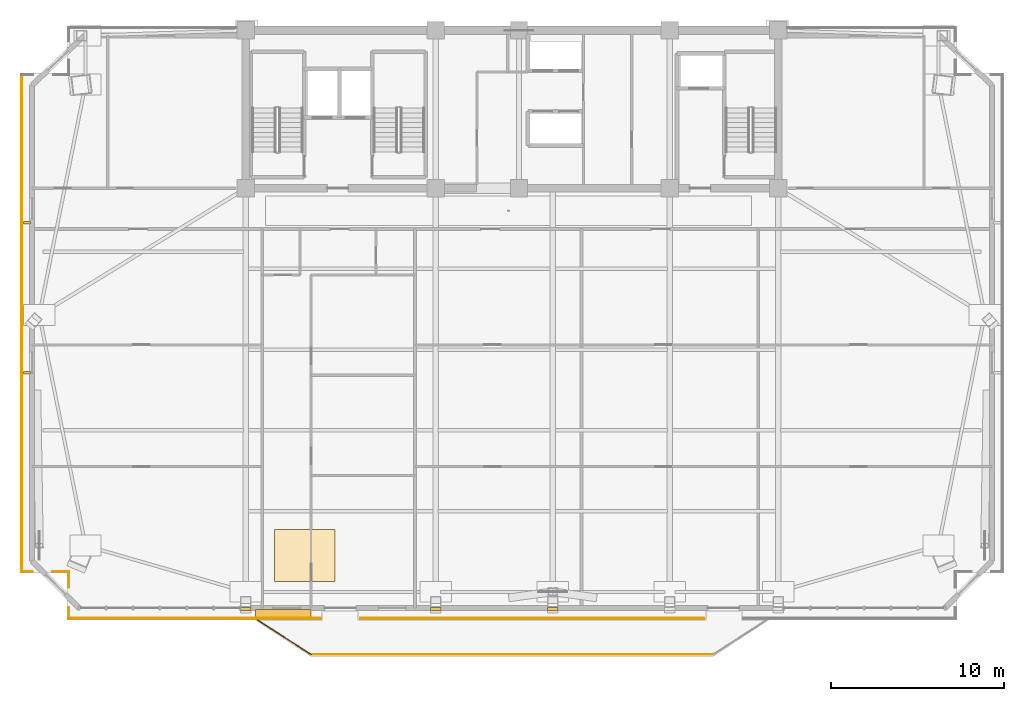
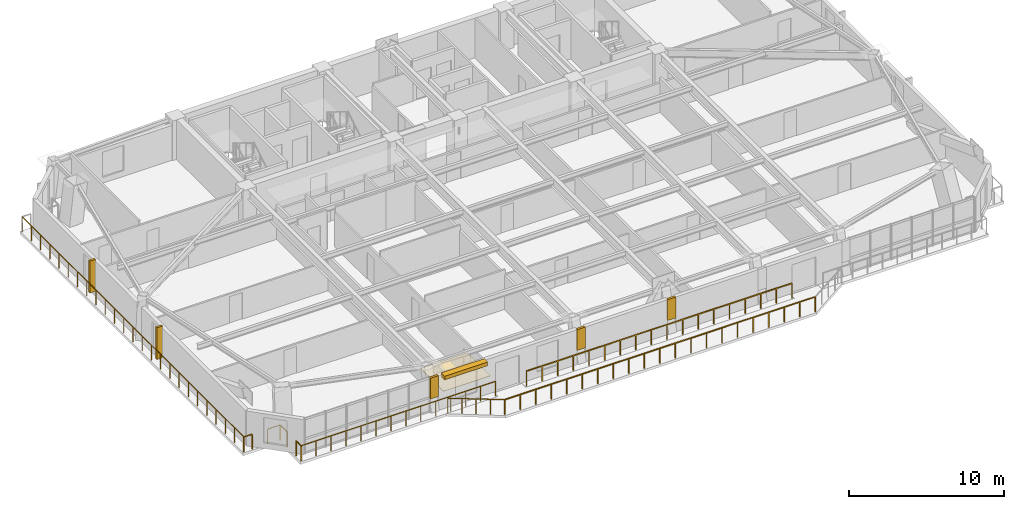
# One storey, part 13 of 16: 9 railings, 4 coverings, 3 shading devices.
"""IFC4 building model written with IfcOpenShell, lengths in metres."""

from ifc_helpers import new_model, si_unit, direction, frame, origin, origin_2d, place, context, subcontext, project, spatial, polyline, rectangle, outline, extrude, source, transform, mapped, material, layer, layer_set, type_object, element, save


model = new_model("IFC4")

# Units and contexts
model_context = context("Model", 3, precision=1e-05, world=origin(), true_north=direction((0.0, 1.0)))
body_context = subcontext(model_context, "Body", "Model", "MODEL_VIEW")
ifc_project = project(units=[si_unit("LENGTHUNIT", "METRE"), si_unit("AREAUNIT", "SQUARE_METRE"), si_unit("VOLUMEUNIT", "CUBIC_METRE"), si_unit("PLANEANGLEUNIT", "RADIAN"), si_unit("MASSUNIT", "GRAM", prefix="KILO")], contexts=[model_context])

# Site, building, storey
site_placement = place(None, origin())
site = spatial("IfcSite", under=ifc_project, at=site_placement, CompositionType="ELEMENT")
building_placement = place(site_placement, origin())
building = spatial("IfcBuilding", under=site, at=building_placement, Name="Giltprow Tower", CompositionType="ELEMENT")
storey_placement = place(building_placement, frame((0.0, 0.0, 233.800048828125)))
storey = spatial("IfcBuildingStorey", under=building, at=storey_placement, Name="L59", CompositionType="ELEMENT", Elevation=233.800048828125)

# Coverings
ifc_material_1 = material(Name="Engineered oak", Category="wood")
ifc_layer_1 = layer(ifc_material_1, 0.02490234375, Name="Engineered oak")
ifc_layer_set_1 = layer_set([ifc_layer_1], Name="Engineered oak")
covering_type_1 = type_object("IfcCoveringType", Name="COV-FLR-TIMBER", PredefinedType="FLOORING", material=ifc_layer_set_1)
covering_1_placement = place(storey_placement, origin())
element("IfcCovering", 1, at=covering_1_placement, inside=storey, type_object=covering_type_1, Name="L59 Residence Oak Parquet Flooring", PredefinedType="FLOORING", context=body_context, shape_type="SweptSolid", body=[
    extrude(outline(polyline([(21.5, 14.781982421875), (25.0, 14.781982421875), (25.0, 17.781982421875), (21.5, 17.781982421875), (21.5, 14.781982421875)])), origin(), (0.0, 0.0, 1.0), 0.02490234375),
])
ifc_material_2 = material(Name="Anodized bronze", Category="metal")
ifc_layer_2 = layer(ifc_material_2, 0.0400390625, Name="Anodized bronze")
ifc_layer_set_2 = layer_set([ifc_layer_2], Name="Anodized bronze")
covering_type_2 = type_object("IfcCoveringType", Name="COV-SOFFIT-BRONZE", PredefinedType="CLADDING", material=ifc_layer_set_2)
covering_2_placement = place(storey_placement, frame((0.0, 0.0, 1.099853515625)))
element("IfcCovering", 2, at=covering_2_placement, inside=storey, type_object=covering_type_2, Name="L59 Setback Pier Closure Cladding S-1", PredefinedType="CLADDING", context=body_context, shape_type="SweptSolid", body=[
    extrude(outline(polyline([(19.550048828125, 13.110107421875), (20.14990234375, 13.110107421875), (20.14990234375, 13.27001953125), (19.550048828125, 13.27001953125), (19.550048828125, 13.110107421875)])), origin(), (0.0, 0.0, 1.0), 1.650146484375),
])
covering_3_placement = place(storey_placement, frame((0.0, 0.0, 1.099853515625)))
element("IfcCovering", 3, at=covering_3_placement, inside=storey, type_object=covering_type_2, Name="L59 Setback Pier Closure Cladding S-2", PredefinedType="CLADDING", context=body_context, shape_type="SweptSolid", body=[
    extrude(outline(polyline([(30.5, 13.110107421875), (31.10009765625, 13.110107421875), (31.10009765625, 13.27001953125), (30.5, 13.27001953125), (30.5, 13.110107421875)])), origin(), (0.0, 0.0, 1.0), 1.650146484375),
])
covering_4_placement = place(storey_placement, frame((0.0, 0.0, 1.099853515625)))
element("IfcCovering", 4, at=covering_4_placement, inside=storey, type_object=covering_type_2, Name="L59 Setback Pier Closure Cladding S-3", PredefinedType="CLADDING", context=body_context, shape_type="SweptSolid", body=[
    extrude(outline(polyline([(37.25, 13.110107421875), (37.85009765625, 13.110107421875), (37.85009765625, 13.27001953125), (37.25, 13.27001953125), (37.25, 13.110107421875)])), origin(), (0.0, 0.0, 1.0), 1.650146484375),
])

# Railings
railing_type = type_object("IfcRailingType", Name="RAIL-BALC-GUARD-1200", PredefinedType="BALUSTRADE", material=ifc_material_2)
railing_1_placement = place(storey_placement, frame((20.52001953125, 12.550048828125, 0.0)))
element("IfcRailing", 5, at=railing_1_placement, inside=storey, type_object=railing_type, Name="L59 Waterfront Balcony Balustrade Seg 1", PredefinedType="BALUSTRADE", context=body_context, shape_type="SweptSolid", body=[
    extrude(rectangle(XDim=0.048095703125, YDim=0.048095703125, at=origin_2d()), frame((0.0, 0.0, 1.17578125), z_axis=(0.84277487735, -0.538266203757, 0.0), x_axis=(0.538266203757, 0.84277487735, 0.0)), (0.0, 0.0, 1.0), 3.678466796875),
    extrude(rectangle(XDim=0.0419921875, YDim=0.0419921875, at=origin_2d()), origin(), (0.0, 0.0, 1.0), 1.15185546875),
    extrude(rectangle(XDim=0.0419921875, YDim=0.0419921875, at=origin_2d()), frame((0.77490234375, -0.4951171875, 0.0)), (0.0, 0.0, 1.0), 1.15185546875),
    extrude(rectangle(XDim=0.0419921875, YDim=0.0419921875, at=origin_2d()), frame((1.550048828125, -0.989990234375, 0.0)), (0.0, 0.0, 1.0), 1.15185546875),
    extrude(rectangle(XDim=0.0419921875, YDim=0.0419921875, at=origin_2d()), frame((2.3251953125, -1.48486328125, 0.0)), (0.0, 0.0, 1.0), 1.15185546875),
    extrude(rectangle(XDim=0.0419921875, YDim=0.0419921875, at=origin_2d()), frame((3.10009765625, -1.97998046875, 0.0)), (0.0, 0.0, 1.0), 1.15185546875),
])
railing_2_placement = place(storey_placement, frame((23.6201171875, 10.570068359375, 0.0)))
element("IfcRailing", 6, at=railing_2_placement, inside=storey, type_object=railing_type, Name="L59 Waterfront Balcony Balustrade Seg 2", PredefinedType="BALUSTRADE", context=body_context, shape_type="SweptSolid", body=[
    extrude(rectangle(XDim=0.048095703125, YDim=0.048095703125, at=origin_2d()), frame((0.0, 0.0, 1.17578125), z_axis=(1.0, 0.0, 0.0), x_axis=(0.0, 1.0, 0.0)), (0.0, 0.0, 1.0), 23.159912109375),
    extrude(rectangle(XDim=0.0419921875, YDim=0.0419921875, at=origin_2d()), origin(), (0.0, 0.0, 1.0), 1.15185546875),
    extrude(rectangle(XDim=0.0419921875, YDim=0.0419921875, at=origin_2d()), frame((1.157958984375, 0.0, 0.0)), (0.0, 0.0, 1.0), 1.15185546875),
    extrude(rectangle(XDim=0.0419921875, YDim=0.0419921875, at=origin_2d()), frame((2.31591796875, 0.0, 0.0)), (0.0, 0.0, 1.0), 1.15185546875),
    extrude(rectangle(XDim=0.0419921875, YDim=0.0419921875, at=origin_2d()), frame((3.473876953125, 0.0, 0.0)), (0.0, 0.0, 1.0), 1.15185546875),
    extrude(rectangle(XDim=0.0419921875, YDim=0.0419921875, at=origin_2d()), frame((4.632080078125, 0.0, 0.0)), (0.0, 0.0, 1.0), 1.15185546875),
    extrude(rectangle(XDim=0.0419921875, YDim=0.0419921875, at=origin_2d()), frame((5.7900390625, 0.0, 0.0)), (0.0, 0.0, 1.0), 1.15185546875),
    extrude(rectangle(XDim=0.0419921875, YDim=0.0419921875, at=origin_2d()), frame((6.947998046875, 0.0, 0.0)), (0.0, 0.0, 1.0), 1.15185546875),
    extrude(rectangle(XDim=0.0419921875, YDim=0.0419921875, at=origin_2d()), frame((8.10595703125, 0.0, 0.0)), (0.0, 0.0, 1.0), 1.15185546875),
    extrude(rectangle(XDim=0.0419921875, YDim=0.0419921875, at=origin_2d()), frame((9.263916015625, 0.0, 0.0)), (0.0, 0.0, 1.0), 1.15185546875),
    extrude(rectangle(XDim=0.0419921875, YDim=0.0419921875, at=origin_2d()), frame((10.421875, 0.0, 0.0)), (0.0, 0.0, 1.0), 1.15185546875),
    extrude(rectangle(XDim=0.0419921875, YDim=0.0419921875, at=origin_2d()), frame((11.580078125, 0.0, 0.0)), (0.0, 0.0, 1.0), 1.15185546875),
    extrude(rectangle(XDim=0.0419921875, YDim=0.0419921875, at=origin_2d()), frame((12.738037109375, 0.0, 0.0)), (0.0, 0.0, 1.0), 1.15185546875),
    extrude(rectangle(XDim=0.0419921875, YDim=0.0419921875, at=origin_2d()), frame((13.89599609375, 0.0, 0.0)), (0.0, 0.0, 1.0), 1.15185546875),
    extrude(rectangle(XDim=0.0419921875, YDim=0.0419921875, at=origin_2d()), frame((15.053955078125, 0.0, 0.0)), (0.0, 0.0, 1.0), 1.15185546875),
    extrude(rectangle(XDim=0.0419921875, YDim=0.0419921875, at=origin_2d()), frame((16.2119140625, 0.0, 0.0)), (0.0, 0.0, 1.0), 1.15185546875),
    extrude(rectangle(XDim=0.0419921875, YDim=0.0419921875, at=origin_2d()), frame((17.369873046875, 0.0, 0.0)), (0.0, 0.0, 1.0), 1.15185546875),
    extrude(rectangle(XDim=0.0419921875, YDim=0.0419921875, at=origin_2d()), frame((18.52783203125, 0.0, 0.0)), (0.0, 0.0, 1.0), 1.15185546875),
    extrude(rectangle(XDim=0.0419921875, YDim=0.0419921875, at=origin_2d()), frame((19.68603515625, 0.0, 0.0)), (0.0, 0.0, 1.0), 1.15185546875),
    extrude(rectangle(XDim=0.0419921875, YDim=0.0419921875, at=origin_2d()), frame((20.843994140625, 0.0, 0.0)), (0.0, 0.0, 1.0), 1.15185546875),
    extrude(rectangle(XDim=0.0419921875, YDim=0.0419921875, at=origin_2d()), frame((22.001953125, 0.0, 0.0)), (0.0, 0.0, 1.0), 1.15185546875),
    extrude(rectangle(XDim=0.0419921875, YDim=0.0419921875, at=origin_2d()), frame((23.159912109375, 0.0, 0.0)), (0.0, 0.0, 1.0), 1.15185546875),
])
railing_3_placement = place(storey_placement, frame((46.25, 12.64990234375, 0.0)))
element("IfcRailing", 7, at=railing_3_placement, inside=storey, type_object=railing_type, Name="L59 Corner Apron Edge Balustrade 7", PredefinedType="BALUSTRADE", context=body_context, shape_type="SweptSolid", body=[
    extrude(rectangle(XDim=0.048095703125, YDim=0.048095703125, at=origin_2d()), frame((0.0, 0.0, 1.17578125), z_axis=(-1.0, 0.0, 0.0), x_axis=(0.0, -1.0, 0.0)), (0.0, 0.0, 1.0), 19.800048828125),
    extrude(rectangle(XDim=0.0419921875, YDim=0.0419921875, at=origin_2d()), origin(), (0.0, 0.0, 1.0), 1.15185546875),
    extrude(rectangle(XDim=0.0419921875, YDim=0.0419921875, at=origin_2d()), frame((-1.164794921875, 0.0, 0.0)), (0.0, 0.0, 1.0), 1.15185546875),
    extrude(rectangle(XDim=0.0419921875, YDim=0.0419921875, at=origin_2d()), frame((-2.329345703125, 0.0, 0.0)), (0.0, 0.0, 1.0), 1.15185546875),
    extrude(rectangle(XDim=0.0419921875, YDim=0.0419921875, at=origin_2d()), frame((-3.494140625, 0.0, 0.0)), (0.0, 0.0, 1.0), 1.15185546875),
    extrude(rectangle(XDim=0.0419921875, YDim=0.0419921875, at=origin_2d()), frame((-4.658935546875, 0.0, 0.0)), (0.0, 0.0, 1.0), 1.15185546875),
    extrude(rectangle(XDim=0.0419921875, YDim=0.0419921875, at=origin_2d()), frame((-5.823486328125, 0.0, 0.0)), (0.0, 0.0, 1.0), 1.15185546875),
    extrude(rectangle(XDim=0.0419921875, YDim=0.0419921875, at=origin_2d()), frame((-6.98828125, 0.0, 0.0)), (0.0, 0.0, 1.0), 1.15185546875),
    extrude(rectangle(XDim=0.0419921875, YDim=0.0419921875, at=origin_2d()), frame((-8.153076171875, 0.0, 0.0)), (0.0, 0.0, 1.0), 1.15185546875),
    extrude(rectangle(XDim=0.0419921875, YDim=0.0419921875, at=origin_2d()), frame((-9.317626953125, 0.0, 0.0)), (0.0, 0.0, 1.0), 1.15185546875),
    extrude(rectangle(XDim=0.0419921875, YDim=0.0419921875, at=origin_2d()), frame((-10.482421875, 0.0, 0.0)), (0.0, 0.0, 1.0), 1.15185546875),
    extrude(rectangle(XDim=0.0419921875, YDim=0.0419921875, at=origin_2d()), frame((-11.64697265625, 0.0, 0.0)), (0.0, 0.0, 1.0), 1.15185546875),
    extrude(rectangle(XDim=0.0419921875, YDim=0.0419921875, at=origin_2d()), frame((-12.811767578125, 0.0, 0.0)), (0.0, 0.0, 1.0), 1.15185546875),
    extrude(rectangle(XDim=0.0419921875, YDim=0.0419921875, at=origin_2d()), frame((-13.9765625, 0.0, 0.0)), (0.0, 0.0, 1.0), 1.15185546875),
    extrude(rectangle(XDim=0.0419921875, YDim=0.0419921875, at=origin_2d()), frame((-15.14111328125, 0.0, 0.0)), (0.0, 0.0, 1.0), 1.15185546875),
    extrude(rectangle(XDim=0.0419921875, YDim=0.0419921875, at=origin_2d()), frame((-16.305908203125, 0.0, 0.0)), (0.0, 0.0, 1.0), 1.15185546875),
    extrude(rectangle(XDim=0.0419921875, YDim=0.0419921875, at=origin_2d()), frame((-17.470703125, 0.0, 0.0)), (0.0, 0.0, 1.0), 1.15185546875),
    extrude(rectangle(XDim=0.0419921875, YDim=0.0419921875, at=origin_2d()), frame((-18.63525390625, 0.0, 0.0)), (0.0, 0.0, 1.0), 1.15185546875),
    extrude(rectangle(XDim=0.0419921875, YDim=0.0419921875, at=origin_2d()), frame((-19.800048828125, 0.0, 0.0)), (0.0, 0.0, 1.0), 1.15185546875),
])
railing_4_placement = place(storey_placement, frame((24.14990234375, 12.64990234375, 0.0)))
element("IfcRailing", 8, at=railing_4_placement, inside=storey, type_object=railing_type, Name="L59 Corner Apron Edge Balustrade 8", PredefinedType="BALUSTRADE", context=body_context, shape_type="SweptSolid", body=[
    extrude(rectangle(XDim=0.048095703125, YDim=0.048095703125, at=origin_2d()), frame((0.0, 0.0, 1.17578125), z_axis=(-1.0, 0.0, 0.0), x_axis=(0.0, -1.0, 0.0)), (0.0, 0.0, 1.0), 14.510009765625),
    extrude(rectangle(XDim=0.0419921875, YDim=0.0419921875, at=origin_2d()), origin(), (0.0, 0.0, 1.0), 1.15185546875),
    extrude(rectangle(XDim=0.0419921875, YDim=0.0419921875, at=origin_2d()), frame((-1.1162109375, 0.0, 0.0)), (0.0, 0.0, 1.0), 1.15185546875),
    extrude(rectangle(XDim=0.0419921875, YDim=0.0419921875, at=origin_2d()), frame((-2.232421875, 0.0, 0.0)), (0.0, 0.0, 1.0), 1.15185546875),
    extrude(rectangle(XDim=0.0419921875, YDim=0.0419921875, at=origin_2d()), frame((-3.348388671875, 0.0, 0.0)), (0.0, 0.0, 1.0), 1.15185546875),
    extrude(rectangle(XDim=0.0419921875, YDim=0.0419921875, at=origin_2d()), frame((-4.464599609375, 0.0, 0.0)), (0.0, 0.0, 1.0), 1.15185546875),
    extrude(rectangle(XDim=0.0419921875, YDim=0.0419921875, at=origin_2d()), frame((-5.580810546875, 0.0, 0.0)), (0.0, 0.0, 1.0), 1.15185546875),
    extrude(rectangle(XDim=0.0419921875, YDim=0.0419921875, at=origin_2d()), frame((-6.697021484375, 0.0, 0.0)), (0.0, 0.0, 1.0), 1.15185546875),
    extrude(rectangle(XDim=0.0419921875, YDim=0.0419921875, at=origin_2d()), frame((-7.81298828125, 0.0, 0.0)), (0.0, 0.0, 1.0), 1.15185546875),
    extrude(rectangle(XDim=0.0419921875, YDim=0.0419921875, at=origin_2d()), frame((-8.92919921875, 0.0, 0.0)), (0.0, 0.0, 1.0), 1.15185546875),
    extrude(rectangle(XDim=0.0419921875, YDim=0.0419921875, at=origin_2d()), frame((-10.04541015625, 0.0, 0.0)), (0.0, 0.0, 1.0), 1.15185546875),
    extrude(rectangle(XDim=0.0419921875, YDim=0.0419921875, at=origin_2d()), frame((-11.16162109375, 0.0, 0.0)), (0.0, 0.0, 1.0), 1.15185546875),
    extrude(rectangle(XDim=0.0419921875, YDim=0.0419921875, at=origin_2d()), frame((-12.277587890625, 0.0, 0.0)), (0.0, 0.0, 1.0), 1.15185546875),
    extrude(rectangle(XDim=0.0419921875, YDim=0.0419921875, at=origin_2d()), frame((-13.393798828125, 0.0, 0.0)), (0.0, 0.0, 1.0), 1.15185546875),
    extrude(rectangle(XDim=0.0419921875, YDim=0.0419921875, at=origin_2d()), frame((-14.510009765625, 0.0, 0.0)), (0.0, 0.0, 1.0), 1.15185546875),
])
railing_5_placement = place(storey_placement, frame((9.639892578125, 12.64990234375, 0.0)))
element("IfcRailing", 9, at=railing_5_placement, inside=storey, type_object=railing_type, Name="L59 Corner Apron Edge Balustrade 9", PredefinedType="BALUSTRADE", context=body_context, shape_type="SweptSolid", body=[
    extrude(rectangle(XDim=0.048095703125, YDim=0.048095703125, at=origin_2d()), frame((0.0, 0.0, 1.17578125), z_axis=(0.0, 1.0, 0.0), x_axis=(-1.0, 0.0, 0.0)), (0.0, 0.0, 1.0), 0.6201171875),
    extrude(rectangle(XDim=0.0419921875, YDim=0.0419921875, at=origin_2d()), origin(), (0.0, 0.0, 1.0), 1.15185546875),
    extrude(rectangle(XDim=0.0419921875, YDim=0.0419921875, at=origin_2d()), frame((0.0, 0.6201171875, 0.0)), (0.0, 0.0, 1.0), 1.15185546875),
])
railing_6_placement = place(storey_placement, frame((9.639892578125, 14.429931640625, 0.0)))
element("IfcRailing", 10, at=railing_6_placement, inside=storey, type_object=railing_type, Name="L59 Corner Apron Edge Balustrade 10", PredefinedType="BALUSTRADE", context=body_context, shape_type="SweptSolid", body=[
    extrude(rectangle(XDim=0.048095703125, YDim=0.048095703125, at=origin_2d()), frame((0.0, 0.0, 1.17578125), z_axis=(0.0, 1.0, 0.0), x_axis=(-1.0, 0.0, 0.0)), (0.0, 0.0, 1.0), 0.927001953125),
    extrude(rectangle(XDim=0.0419921875, YDim=0.0419921875, at=origin_2d()), origin(), (0.0, 0.0, 1.0), 1.15185546875),
    extrude(rectangle(XDim=0.0419921875, YDim=0.0419921875, at=origin_2d()), frame((0.0, 0.927001953125, 0.0)), (0.0, 0.0, 1.0), 1.15185546875),
])
railing_7_placement = place(storey_placement, frame((9.639892578125, 15.35693359375, 0.0)))
element("IfcRailing", 11, at=railing_7_placement, inside=storey, type_object=railing_type, Name="L59 Corner Apron Edge Balustrade 11", PredefinedType="BALUSTRADE", context=body_context, shape_type="SweptSolid", body=[
    extrude(rectangle(XDim=0.048095703125, YDim=0.048095703125, at=origin_2d()), frame((0.0, 0.0, 1.17578125), z_axis=(-1.0, 0.0, 0.0), x_axis=(0.0, -1.0, 0.0)), (0.0, 0.0, 1.0), 0.927001953125),
    extrude(rectangle(XDim=0.0419921875, YDim=0.0419921875, at=origin_2d()), origin(), (0.0, 0.0, 1.0), 1.15185546875),
    extrude(rectangle(XDim=0.0419921875, YDim=0.0419921875, at=origin_2d()), frame((-0.927001953125, 0.0, 0.0)), (0.0, 0.0, 1.0), 1.15185546875),
])
railing_8_placement = place(storey_placement, frame((7.552978515625, 15.35693359375, 0.0)))
element("IfcRailing", 12, at=railing_8_placement, inside=storey, type_object=railing_type, Name="L59 Corner Apron Edge Balustrade 12", PredefinedType="BALUSTRADE", context=body_context, shape_type="SweptSolid", body=[
    extrude(rectangle(XDim=0.048095703125, YDim=0.048095703125, at=origin_2d()), frame((0.0, 0.0, 1.17578125), z_axis=(-1.0, 0.0, 0.0), x_axis=(0.0, -1.0, 0.0)), (0.0, 0.0, 1.0), 0.619873046875),
    extrude(rectangle(XDim=0.0419921875, YDim=0.0419921875, at=origin_2d()), origin(), (0.0, 0.0, 1.0), 1.15185546875),
    extrude(rectangle(XDim=0.0419921875, YDim=0.0419921875, at=origin_2d()), frame((-0.619873046875, 0.0, 0.0)), (0.0, 0.0, 1.0), 1.15185546875),
])
railing_9_placement = place(storey_placement, frame((6.93310546875, 15.35693359375, 0.0)))
element("IfcRailing", 13, at=railing_9_placement, inside=storey, type_object=railing_type, Name="L59 Corner Apron Edge Balustrade 13", PredefinedType="BALUSTRADE", context=body_context, shape_type="SweptSolid", body=[
    extrude(rectangle(XDim=0.048095703125, YDim=0.048095703125, at=origin_2d()), frame((0.0, 0.0, 1.17578125), z_axis=(0.0, 1.0, 0.0), x_axis=(-1.0, 0.0, 0.0)), (0.0, 0.0, 1.0), 28.635986328125),
    extrude(rectangle(XDim=0.0419921875, YDim=0.0419921875, at=origin_2d()), origin(), (0.0, 0.0, 1.0), 1.15185546875),
    extrude(rectangle(XDim=0.0419921875, YDim=0.0419921875, at=origin_2d()), frame((0.0, 1.193115234375, 0.0)), (0.0, 0.0, 1.0), 1.15185546875),
    extrude(rectangle(XDim=0.0419921875, YDim=0.0419921875, at=origin_2d()), frame((0.0, 2.38623046875, 0.0)), (0.0, 0.0, 1.0), 1.15185546875),
    extrude(rectangle(XDim=0.0419921875, YDim=0.0419921875, at=origin_2d()), frame((0.0, 3.57958984375, 0.0)), (0.0, 0.0, 1.0), 1.15185546875),
    extrude(rectangle(XDim=0.0419921875, YDim=0.0419921875, at=origin_2d()), frame((0.0, 4.772705078125, 0.0)), (0.0, 0.0, 1.0), 1.15185546875),
    extrude(rectangle(XDim=0.0419921875, YDim=0.0419921875, at=origin_2d()), frame((0.0, 5.9658203125, 0.0)), (0.0, 0.0, 1.0), 1.15185546875),
    extrude(rectangle(XDim=0.0419921875, YDim=0.0419921875, at=origin_2d()), frame((0.0, 7.158935546875, 0.0)), (0.0, 0.0, 1.0), 1.15185546875),
    extrude(rectangle(XDim=0.0419921875, YDim=0.0419921875, at=origin_2d()), frame((0.0, 8.35205078125, 0.0)), (0.0, 0.0, 1.0), 1.15185546875),
    extrude(rectangle(XDim=0.0419921875, YDim=0.0419921875, at=origin_2d()), frame((0.0, 9.54541015625, 0.0)), (0.0, 0.0, 1.0), 1.15185546875),
    extrude(rectangle(XDim=0.0419921875, YDim=0.0419921875, at=origin_2d()), frame((0.0, 10.738525390625, 0.0)), (0.0, 0.0, 1.0), 1.15185546875),
    extrude(rectangle(XDim=0.0419921875, YDim=0.0419921875, at=origin_2d()), frame((0.0, 11.931640625, 0.0)), (0.0, 0.0, 1.0), 1.15185546875),
    extrude(rectangle(XDim=0.0419921875, YDim=0.0419921875, at=origin_2d()), frame((0.0, 13.124755859375, 0.0)), (0.0, 0.0, 1.0), 1.15185546875),
    extrude(rectangle(XDim=0.0419921875, YDim=0.0419921875, at=origin_2d()), frame((0.0, 14.31787109375, 0.0)), (0.0, 0.0, 1.0), 1.15185546875),
    extrude(rectangle(XDim=0.0419921875, YDim=0.0419921875, at=origin_2d()), frame((0.0, 15.51123046875, 0.0)), (0.0, 0.0, 1.0), 1.15185546875),
    extrude(rectangle(XDim=0.0419921875, YDim=0.0419921875, at=origin_2d()), frame((0.0, 16.704345703125, 0.0)), (0.0, 0.0, 1.0), 1.15185546875),
    extrude(rectangle(XDim=0.0419921875, YDim=0.0419921875, at=origin_2d()), frame((0.0, 17.8974609375, 0.0)), (0.0, 0.0, 1.0), 1.15185546875),
    extrude(rectangle(XDim=0.0419921875, YDim=0.0419921875, at=origin_2d()), frame((0.0, 19.090576171875, 0.0)), (0.0, 0.0, 1.0), 1.15185546875),
    extrude(rectangle(XDim=0.0419921875, YDim=0.0419921875, at=origin_2d()), frame((0.0, 20.283935546875, 0.0)), (0.0, 0.0, 1.0), 1.15185546875),
    extrude(rectangle(XDim=0.0419921875, YDim=0.0419921875, at=origin_2d()), frame((0.0, 21.47705078125, 0.0)), (0.0, 0.0, 1.0), 1.15185546875),
    extrude(rectangle(XDim=0.0419921875, YDim=0.0419921875, at=origin_2d()), frame((0.0, 22.670166015625, 0.0)), (0.0, 0.0, 1.0), 1.15185546875),
    extrude(rectangle(XDim=0.0419921875, YDim=0.0419921875, at=origin_2d()), frame((0.0, 23.86328125, 0.0)), (0.0, 0.0, 1.0), 1.15185546875),
    extrude(rectangle(XDim=0.0419921875, YDim=0.0419921875, at=origin_2d()), frame((0.0, 25.056396484375, 0.0)), (0.0, 0.0, 1.0), 1.15185546875),
    extrude(rectangle(XDim=0.0419921875, YDim=0.0419921875, at=origin_2d()), frame((0.0, 26.249755859375, 0.0)), (0.0, 0.0, 1.0), 1.15185546875),
    extrude(rectangle(XDim=0.0419921875, YDim=0.0419921875, at=origin_2d()), frame((0.0, 27.44287109375, 0.0)), (0.0, 0.0, 1.0), 1.15185546875),
    extrude(rectangle(XDim=0.0419921875, YDim=0.0419921875, at=origin_2d()), frame((0.0, 28.635986328125, 0.0)), (0.0, 0.0, 1.0), 1.15185546875),
])

# Shading devices
shading_device_type_1 = type_object("IfcShadingDeviceType", Name="SHD-FIN-420", PredefinedType="USERDEFINED", material=ifc_material_2)
shared_shape_1 = source(origin(), body_context, "Body", "SweptSolid", [
    extrude(rectangle(XDim=0.419921875, YDim=0.159912109375, at=origin_2d()), origin(), (0.0, 0.0, 1.0), 2.5),
])
for number, where, z_axis, x_axis, name in (
    (14, (7.23291015625, 26.81396484375, 0.349853515625), (0.0, 0.0, 1.0), (1.0, 0.0, 0.0), "L59 W Bronze Vertical Fin 1-1"),
    (15, (7.23291015625, 35.464111328125, 0.349853515625), (0.0, 0.0, 1.0), (1.0, 0.0, 0.0), "L59 W Bronze Vertical Fin 2-1"),
):
    element("IfcShadingDevice", number, at=place(storey_placement, frame(where, z_axis=z_axis, x_axis=x_axis)), inside=storey, type_object=shading_device_type_1, Name=name, ObjectType="FIN", PredefinedType="USERDEFINED", context=body_context, shape_type="MappedRepresentation", body=[
        mapped(shared_shape_1, transform((0.0, 0.0, 0.0), x_axis=(1.0, 0.0, 0.0), y_axis=(0.0, 1.0, 0.0), z_axis=(0.0, 0.0, 1.0), scale=1.0)),
    ])
shading_device_type_2 = type_object("IfcShadingDeviceType", Name="SHD-LOUVRE-320", PredefinedType="JALOUSIE", material=ifc_material_2)
shared_shape_2 = source(origin(), body_context, "Body", "SweptSolid", [
    extrude(rectangle(XDim=3.199951171875, YDim=0.449951171875, at=origin_2d()), origin(), (0.0, 0.0, 1.0), 0.280029296875),
])
shading_device_placement = place(storey_placement, frame((22.0, 12.949951171875, 2.56005859375), z_axis=(0.0, 0.0, 1.0), x_axis=(1.0, 0.0, 0.0)))
element("IfcShadingDevice", 16, at=shading_device_placement, inside=storey, type_object=shading_device_type_2, Name="L59 Bronze Sunshade Louvre S-2", PredefinedType="JALOUSIE", context=body_context, shape_type="MappedRepresentation", body=[
    mapped(shared_shape_2, transform((0.0, 0.0, 0.0), x_axis=(1.0, 0.0, 0.0), y_axis=(0.0, 1.0, 0.0), z_axis=(0.0, 0.0, 1.0), scale=1.0)),
])

save(model, "model.ifc")
